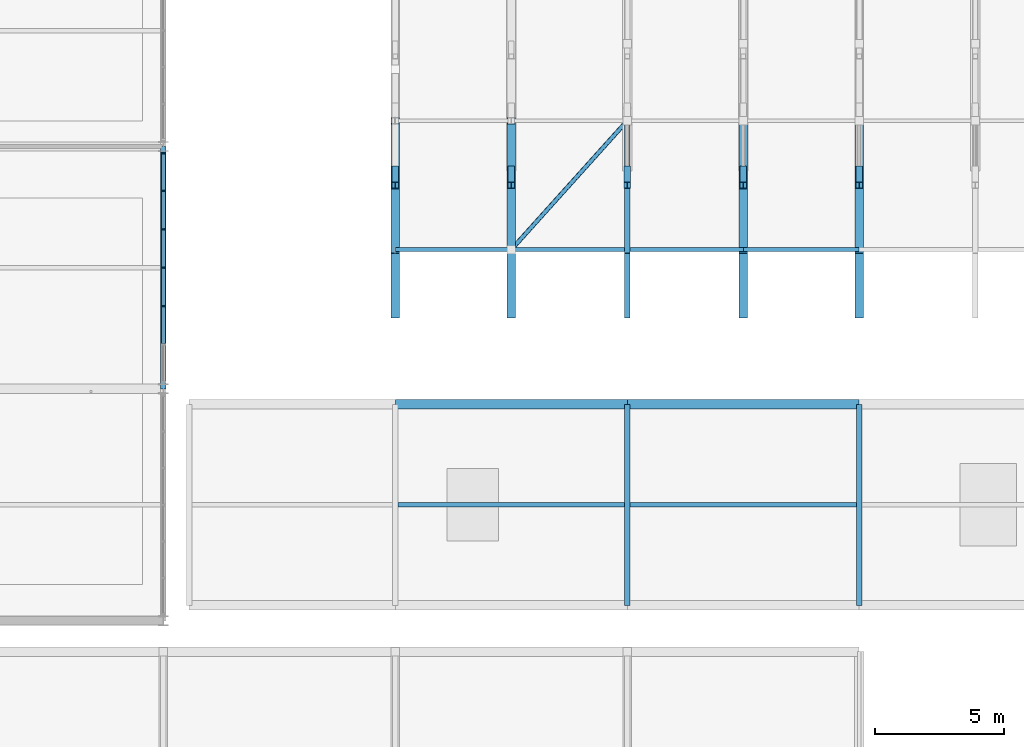
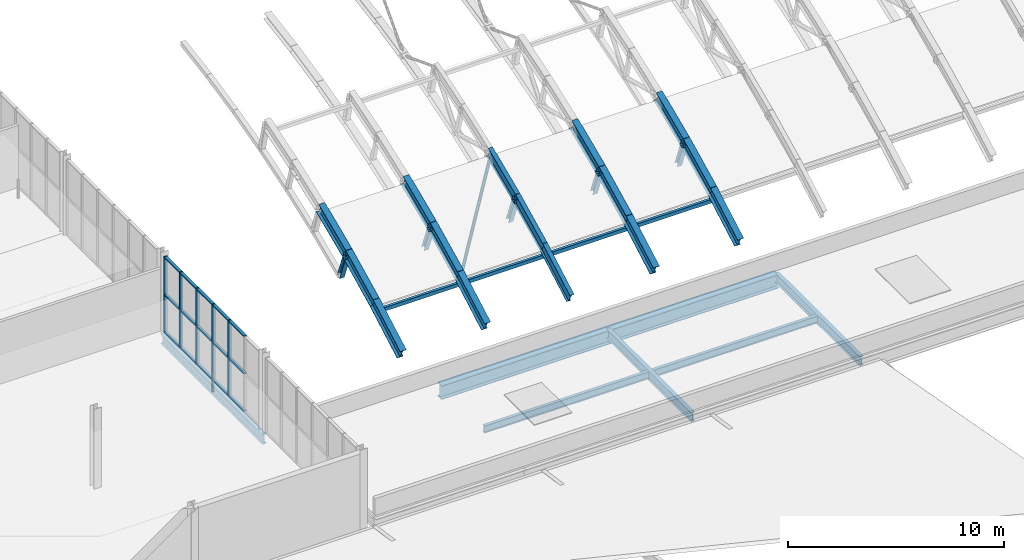
# One storey, part 14 of 103: 30 members, 22 beams, 1 element without a shape of its own.
"""IFC4 building model written with IfcOpenShell, lengths in metres."""

from ifc_helpers import new_model, si_unit, direction, frame, origin, origin_2d, place, context, subcontext, project, spatial, rectangle, hollow_rectangle, hollow_circle, i_section, extrude, material, layer, layer_set, material_profile, profile_set, type_object, element, aggregate, save


model = new_model("IFC4")

# Units and contexts
model_context = context("Model", 3, precision=1e-05, world=origin(), true_north=direction((0.0, 1.0)))
body_context = subcontext(model_context, "Body", "Model", "MODEL_VIEW")
ifc_project = project(units=[si_unit("LENGTHUNIT", "METRE"), si_unit("AREAUNIT", "SQUARE_METRE"), si_unit("VOLUMEUNIT", "CUBIC_METRE"), si_unit("PLANEANGLEUNIT", "RADIAN"), si_unit("MASSUNIT", "GRAM", prefix="KILO")], contexts=[model_context])

# Site, building, storey
site_placement = place(None, origin())
site = spatial("IfcSite", under=ifc_project, at=site_placement, CompositionType="ELEMENT")
building_placement = place(site_placement, origin())
building = spatial("IfcBuilding", under=site, at=building_placement, Name="Cazmaro Siding Exhibition Halls", CompositionType="ELEMENT")
storey_placement = place(building_placement, frame((0.0, 0.0, 16.5)))
storey = spatial("IfcBuildingStorey", under=building, at=storey_placement, Name="L03", CompositionType="ELEMENT", Elevation=16.5)

# Beams
ifc_material_1 = material(Name="Steel ASTM A992 Grade 50", Category="steel")
ifc_material_profile_1 = material_profile(ifc_material_1, i_section(OverallWidth=0.327880859375, OverallDepth=0.626953125, WebThickness=0.01708984375, FlangeThickness=0.028076171875, at=origin_2d()), Name="W24X146")
ifc_profile_set_1 = profile_set([ifc_material_profile_1], Name="Steel ASTM A992 Grade 50")
beam_type_1 = type_object("IfcBeamType", Name="AR-01", PredefinedType="USERDEFINED", material=ifc_profile_set_1)
beam_1_placement = place(storey_placement, frame((45.0, 66.5, -0.60693359375), z_axis=(0.0, 0.871320907359, 0.490713639916), x_axis=(-1.0, 0.0, 0.0)))
element("IfcBeam", 1, at=beam_1_placement, inside=storey, type_object=beam_type_1, Name="Space frame barrel vault arched rib AR-01 BM-0536", ObjectType="ARCHED RIB", PredefinedType="USERDEFINED", context=body_context, shape_type="SweptSolid", body=[
    extrude(i_section(OverallWidth=0.327880859375, OverallDepth=0.626953125, WebThickness=0.01708984375, FlangeThickness=0.028076171875, at=origin_2d()), origin(), (0.0, 0.0, 1.0), 2.869140625),
])
beam_2_placement = place(storey_placement, frame((45.0, 69.0, 0.801025390625), z_axis=(0.0, 0.895996638269, 0.444060833908), x_axis=(-1.0, 0.0, 0.0)))
element("IfcBeam", 2, at=beam_2_placement, inside=storey, type_object=beam_type_1, Name="Space frame barrel vault arched rib AR-01 BM-0537", ObjectType="ARCHED RIB", PredefinedType="USERDEFINED", context=body_context, shape_type="SweptSolid", body=[
    extrude(i_section(OverallWidth=0.327880859375, OverallDepth=0.626953125, WebThickness=0.01708984375, FlangeThickness=0.028076171875, at=origin_2d()), origin(), (0.0, 0.0, 1.0), 2.790283203125),
])
beam_3_placement = place(storey_placement, frame((45.0, 71.5, 2.0400390625), z_axis=(0.0, 0.917729918626, 0.397204980405), x_axis=(-1.0, 0.0, 0.0)))
element("IfcBeam", 3, at=beam_3_placement, inside=storey, type_object=beam_type_1, Name="Space frame barrel vault arched rib AR-01 BM-0538", ObjectType="ARCHED RIB", PredefinedType="USERDEFINED", context=body_context, shape_type="SweptSolid", body=[
    extrude(i_section(OverallWidth=0.327880859375, OverallDepth=0.626953125, WebThickness=0.01708984375, FlangeThickness=0.028076171875, at=origin_2d()), origin(), (0.0, 0.0, 1.0), 2.72412109375),
])
beam_4_placement = place(storey_placement, frame((58.5, 66.5, -0.60693359375), z_axis=(0.0, 0.871320907359, 0.490713639916), x_axis=(-1.0, 0.0, 0.0)))
element("IfcBeam", 4, at=beam_4_placement, inside=storey, type_object=beam_type_1, Name="Space frame barrel vault arched rib AR-01 BM-0608", ObjectType="ARCHED RIB", PredefinedType="USERDEFINED", context=body_context, shape_type="SweptSolid", body=[
    extrude(i_section(OverallWidth=0.327880859375, OverallDepth=0.626953125, WebThickness=0.01708984375, FlangeThickness=0.028076171875, at=origin_2d()), origin(), (0.0, 0.0, 1.0), 2.869140625),
])
beam_5_placement = place(storey_placement, frame((58.5, 69.0, 0.801025390625), z_axis=(0.0, 0.895996638269, 0.444060833908), x_axis=(-1.0, 0.0, 0.0)))
element("IfcBeam", 5, at=beam_5_placement, inside=storey, type_object=beam_type_1, Name="Space frame barrel vault arched rib AR-01 BM-0609", ObjectType="ARCHED RIB", PredefinedType="USERDEFINED", context=body_context, shape_type="SweptSolid", body=[
    extrude(i_section(OverallWidth=0.327880859375, OverallDepth=0.626953125, WebThickness=0.01708984375, FlangeThickness=0.028076171875, at=origin_2d()), origin(), (0.0, 0.0, 1.0), 2.790283203125),
])
beam_6_placement = place(storey_placement, frame((58.5, 71.5, 2.0400390625), z_axis=(0.0, 0.917729918626, 0.397204980405), x_axis=(-1.0, 0.0, 0.0)))
element("IfcBeam", 6, at=beam_6_placement, inside=storey, type_object=beam_type_1, Name="Space frame barrel vault arched rib AR-01 BM-0610", ObjectType="ARCHED RIB", PredefinedType="USERDEFINED", context=body_context, shape_type="SweptSolid", body=[
    extrude(i_section(OverallWidth=0.327880859375, OverallDepth=0.626953125, WebThickness=0.01708984375, FlangeThickness=0.028076171875, at=origin_2d()), origin(), (0.0, 0.0, 1.0), 2.72412109375),
])
ifc_material_2 = material(Name="Steel ASTM A992 Grade 50", Category="steel")
ifc_material_profile_2 = material_profile(ifc_material_2, i_section(OverallWidth=0.324951171875, OverallDepth=0.612060546875, WebThickness=0.012939453125, FlangeThickness=0.01904296875, at=origin_2d()), Name="W24X104")
ifc_profile_set_2 = profile_set([ifc_material_profile_2], Name="Steel ASTM A992 Grade 50")
beam_type_2 = type_object("IfcBeamType", Name="AR-02", PredefinedType="USERDEFINED", material=ifc_profile_set_2)
beam_7_placement = place(storey_placement, frame((49.5, 66.5, -0.60693359375), z_axis=(0.0, 0.871320907359, 0.490713639916), x_axis=(-1.0, 0.0, 0.0)))
element("IfcBeam", 7, at=beam_7_placement, inside=storey, type_object=beam_type_2, Name="Space frame barrel vault arched rib AR-02 BM-0560", ObjectType="ARCHED RIB", PredefinedType="USERDEFINED", context=body_context, shape_type="SweptSolid", body=[
    extrude(i_section(OverallWidth=0.324951171875, OverallDepth=0.612060546875, WebThickness=0.012939453125, FlangeThickness=0.01904296875, at=origin_2d()), origin(), (0.0, 0.0, 1.0), 2.869140625),
])
beam_8_placement = place(storey_placement, frame((49.5, 69.0, 0.801025390625), z_axis=(0.0, 0.895996638269, 0.444060833908), x_axis=(-1.0, 0.0, 0.0)))
element("IfcBeam", 8, at=beam_8_placement, inside=storey, type_object=beam_type_2, Name="Space frame barrel vault arched rib AR-02 BM-0561", ObjectType="ARCHED RIB", PredefinedType="USERDEFINED", context=body_context, shape_type="SweptSolid", body=[
    extrude(i_section(OverallWidth=0.324951171875, OverallDepth=0.612060546875, WebThickness=0.012939453125, FlangeThickness=0.01904296875, at=origin_2d()), origin(), (0.0, 0.0, 1.0), 2.790283203125),
])
beam_9_placement = place(storey_placement, frame((49.5, 71.5, 2.0400390625), z_axis=(0.0, 0.917729918626, 0.397204980405), x_axis=(-1.0, 0.0, 0.0)))
element("IfcBeam", 9, at=beam_9_placement, inside=storey, type_object=beam_type_2, Name="Space frame barrel vault arched rib AR-02 BM-0562", ObjectType="ARCHED RIB", PredefinedType="USERDEFINED", context=body_context, shape_type="SweptSolid", body=[
    extrude(i_section(OverallWidth=0.324951171875, OverallDepth=0.612060546875, WebThickness=0.012939453125, FlangeThickness=0.01904296875, at=origin_2d()), origin(), (0.0, 0.0, 1.0), 2.72412109375),
])
beam_10_placement = place(storey_placement, frame((63.0, 66.5, -0.60693359375), z_axis=(0.0, 0.871320907359, 0.490713639916), x_axis=(-1.0, 0.0, 0.0)))
element("IfcBeam", 10, at=beam_10_placement, inside=storey, type_object=beam_type_2, Name="Space frame barrel vault arched rib AR-02 BM-0632", ObjectType="ARCHED RIB", PredefinedType="USERDEFINED", context=body_context, shape_type="SweptSolid", body=[
    extrude(i_section(OverallWidth=0.324951171875, OverallDepth=0.612060546875, WebThickness=0.012939453125, FlangeThickness=0.01904296875, at=origin_2d()), origin(), (0.0, 0.0, 1.0), 2.869140625),
])
beam_11_placement = place(storey_placement, frame((63.0, 69.0, 0.801025390625), z_axis=(0.0, 0.895996638269, 0.444060833908), x_axis=(-1.0, 0.0, 0.0)))
element("IfcBeam", 11, at=beam_11_placement, inside=storey, type_object=beam_type_2, Name="Space frame barrel vault arched rib AR-02 BM-0633", ObjectType="ARCHED RIB", PredefinedType="USERDEFINED", context=body_context, shape_type="SweptSolid", body=[
    extrude(i_section(OverallWidth=0.324951171875, OverallDepth=0.612060546875, WebThickness=0.012939453125, FlangeThickness=0.01904296875, at=origin_2d()), origin(), (0.0, 0.0, 1.0), 2.790283203125),
])
beam_12_placement = place(storey_placement, frame((63.0, 71.5, 2.0400390625), z_axis=(0.0, 0.917729918626, 0.397204980405), x_axis=(-1.0, 0.0, 0.0)))
element("IfcBeam", 12, at=beam_12_placement, inside=storey, type_object=beam_type_2, Name="Space frame barrel vault arched rib AR-02 BM-0634", ObjectType="ARCHED RIB", PredefinedType="USERDEFINED", context=body_context, shape_type="SweptSolid", body=[
    extrude(i_section(OverallWidth=0.324951171875, OverallDepth=0.612060546875, WebThickness=0.012939453125, FlangeThickness=0.01904296875, at=origin_2d()), origin(), (0.0, 0.0, 1.0), 2.72412109375),
])
ifc_material_3 = material(Name="Steel ASTM A992 Grade 50", Category="steel")
ifc_material_profile_3 = material_profile(ifc_material_3, i_section(OverallWidth=0.22900390625, OverallDepth=0.612060546875, WebThickness=0.011962890625, FlangeThickness=0.02001953125, at=origin_2d()), Name="W24X84")
ifc_profile_set_3 = profile_set([ifc_material_profile_3], Name="Steel ASTM A992 Grade 50")
beam_type_3 = type_object("IfcBeamType", Name="AR-03", PredefinedType="USERDEFINED", material=ifc_profile_set_3)
beam_13_placement = place(storey_placement, frame((54.0, 66.5, -0.60693359375), z_axis=(0.0, 0.871320907359, 0.490713639916), x_axis=(-1.0, 0.0, 0.0)))
element("IfcBeam", 13, at=beam_13_placement, inside=storey, type_object=beam_type_3, Name="Space frame barrel vault arched rib AR-03 BM-0584", ObjectType="ARCHED RIB", PredefinedType="USERDEFINED", context=body_context, shape_type="SweptSolid", body=[
    extrude(i_section(OverallWidth=0.22900390625, OverallDepth=0.612060546875, WebThickness=0.011962890625, FlangeThickness=0.02001953125, at=origin_2d()), origin(), (0.0, 0.0, 1.0), 2.869140625),
])
beam_14_placement = place(storey_placement, frame((54.0, 69.0, 0.801025390625), z_axis=(0.0, 0.895996638269, 0.444060833908), x_axis=(-1.0, 0.0, 0.0)))
element("IfcBeam", 14, at=beam_14_placement, inside=storey, type_object=beam_type_3, Name="Space frame barrel vault arched rib AR-03 BM-0585", ObjectType="ARCHED RIB", PredefinedType="USERDEFINED", context=body_context, shape_type="SweptSolid", body=[
    extrude(i_section(OverallWidth=0.22900390625, OverallDepth=0.612060546875, WebThickness=0.011962890625, FlangeThickness=0.02001953125, at=origin_2d()), origin(), (0.0, 0.0, 1.0), 2.790283203125),
])
beam_15_placement = place(storey_placement, frame((54.0, 71.5, 2.0400390625), z_axis=(0.0, 0.917729918626, 0.397204980405), x_axis=(-1.0, 0.0, 0.0)))
element("IfcBeam", 15, at=beam_15_placement, inside=storey, type_object=beam_type_3, Name="Space frame barrel vault arched rib AR-03 BM-0586", ObjectType="ARCHED RIB", PredefinedType="USERDEFINED", context=body_context, shape_type="SweptSolid", body=[
    extrude(i_section(OverallWidth=0.22900390625, OverallDepth=0.612060546875, WebThickness=0.011962890625, FlangeThickness=0.02001953125, at=origin_2d()), origin(), (0.0, 0.0, 1.0), 2.72412109375),
])
ifc_material_4 = material(Name="Steel ASTM A992 Grade 50", Category="steel")
ifc_material_profile_4 = material_profile(ifc_material_4, i_section(OverallWidth=0.214111328125, OverallDepth=0.549072265625, WebThickness=0.014892578125, FlangeThickness=0.02392578125, at=origin_2d()), Name="W21X93")
ifc_profile_set_4 = profile_set([ifc_material_profile_4], Name="Steel ASTM A992 Grade 50")
beam_type_4 = type_object("IfcBeamType", Name="B-01", PredefinedType="BEAM", material=ifc_profile_set_4)
beam_16_placement = place(storey_placement, frame((36.0, 63.60009765625, -0.493896484375), z_axis=(0.0, 1.0, 0.0), x_axis=(-1.0, 0.0, 0.0)))
element("IfcBeam", 16, at=beam_16_placement, inside=storey, type_object=beam_type_4, Name="Beam B-01 BM-2271", PredefinedType="BEAM", context=body_context, shape_type="SweptSolid", body=[
    extrude(i_section(OverallWidth=0.214111328125, OverallDepth=0.549072265625, WebThickness=0.014892578125, FlangeThickness=0.02392578125, at=origin_2d()), origin(), (0.0, 0.0, 1.0), 9.39990234375),
])
ifc_material_5 = material(Name="Steel ASTM A992 Grade 50", Category="steel")
ifc_material_profile_5 = material_profile(ifc_material_5, i_section(OverallWidth=0.2099609375, OverallDepth=0.535888671875, WebThickness=0.010986328125, FlangeThickness=0.01708984375, at=origin_2d()), Name="W21X68")
ifc_profile_set_5 = profile_set([ifc_material_profile_5], Name="Steel ASTM A992 Grade 50")
beam_type_5 = type_object("IfcBeamType", Name="B-02", PredefinedType="BEAM", material=ifc_profile_set_5)
for number, where, z_axis, x_axis, name in (
    (17, (54.0, 55.199951171875, -0.443115234375), (0.0, 1.0, 0.0), (-1.0, 0.0, 0.0), "Beam B-02 BM-1692"),
    (18, (63.0, 55.199951171875, -0.443115234375), (0.0, 1.0, 0.0), (-1.0, 0.0, 0.0), "Beam B-02 BM-1695"),
):
    element("IfcBeam", number, at=place(storey_placement, frame(where, z_axis=z_axis, x_axis=x_axis)), inside=storey, type_object=beam_type_5, Name=name, PredefinedType="BEAM", context=body_context, shape_type="SweptSolid", body=[
        extrude(i_section(OverallWidth=0.2099609375, OverallDepth=0.535888671875, WebThickness=0.010986328125, FlangeThickness=0.01708984375, at=origin_2d()), origin(), (0.0, 0.0, 1.0), 7.800048828125),
    ])

# Curtain wall, members
ifc_material_6 = material(Name="Anodized Bronze Aluminum and Solar-Control Low-E Glazing", Category="aluminium")
ifc_layer = layer(ifc_material_6, 0.179931640625)
ifc_layer_set = layer_set([ifc_layer], Name="Anodized Bronze Aluminum and Solar-Control Low-E Glazing")
curtain_wall_type = type_object("IfcCurtainWallType", Name="CWS-01", PredefinedType="USERDEFINED", material=ifc_layer_set)
curtain_wall_placement = place(storey_placement, origin())
curtain_wall = element("IfcCurtainWall", 19, at=curtain_wall_placement, inside=storey, type_object=curtain_wall_type, Name="Glazed Curtain Wall CWS-01 CW-249", ObjectType="GLAZED CURTAIN WALL", PredefinedType="USERDEFINED")
ifc_material_7 = material(Name="Anodized Bronze Extruded Aluminum", Category="aluminium")
ifc_material_profile_6 = material_profile(ifc_material_7, rectangle(XDim=0.179931640625, YDim=0.06005859375, at=origin_2d()), Name="CWM-01")
ifc_profile_set_6 = profile_set([ifc_material_profile_6], Name="Anodized Bronze Extruded Aluminum")
member_type_1 = type_object("IfcMemberType", Name="CWM-01", PredefinedType="MULLION", material=ifc_profile_set_6)
member_1_placement = place(storey_placement, frame((36.0, 66.81103515625, 0.0), z_axis=(0.0, 0.0, 1.0), x_axis=(-1.0, 0.0, 0.0)))
member_1 = element("IfcMember", 20, at=member_1_placement, type_object=member_type_1, Name="CWS-01 mullion 3", PredefinedType="MULLION", context=body_context, shape_type="SweptSolid", body=[
    extrude(rectangle(XDim=0.179931640625, YDim=0.06005859375, at=origin_2d()), origin(), (0.0, 0.0, 1.0), 4.280029296875),
])
member_2_placement = place(storey_placement, frame((36.0, 68.300048828125, 0.0), z_axis=(0.0, 0.0, 1.0), x_axis=(-1.0, 0.0, 0.0)))
member_2 = element("IfcMember", 21, at=member_2_placement, type_object=member_type_1, Name="CWS-01 mullion 4", PredefinedType="MULLION", context=body_context, shape_type="SweptSolid", body=[
    extrude(rectangle(XDim=0.179931640625, YDim=0.06005859375, at=origin_2d()), origin(), (0.0, 0.0, 1.0), 4.280029296875),
])
member_3_placement = place(storey_placement, frame((36.0, 69.7890625, 0.0), z_axis=(0.0, 0.0, 1.0), x_axis=(-1.0, 0.0, 0.0)))
member_3 = element("IfcMember", 22, at=member_3_placement, type_object=member_type_1, Name="CWS-01 mullion 5", PredefinedType="MULLION", context=body_context, shape_type="SweptSolid", body=[
    extrude(rectangle(XDim=0.179931640625, YDim=0.06005859375, at=origin_2d()), origin(), (0.0, 0.0, 1.0), 4.280029296875),
])
member_4_placement = place(storey_placement, frame((36.0, 71.278076171875, 0.0), z_axis=(0.0, 0.0, 1.0), x_axis=(-1.0, 0.0, 0.0)))
member_4 = element("IfcMember", 23, at=member_4_placement, type_object=member_type_1, Name="CWS-01 mullion 6", PredefinedType="MULLION", context=body_context, shape_type="SweptSolid", body=[
    extrude(rectangle(XDim=0.179931640625, YDim=0.06005859375, at=origin_2d()), origin(), (0.0, 0.0, 1.0), 4.280029296875),
])
member_5_placement = place(storey_placement, frame((36.0, 72.737060546875, 0.0), z_axis=(0.0, 0.0, 1.0), x_axis=(-1.0, 0.0, 0.0)))
member_5 = element("IfcMember", 24, at=member_5_placement, type_object=member_type_1, Name="CWS-01 mullion 7", PredefinedType="MULLION", context=body_context, shape_type="SweptSolid", body=[
    extrude(rectangle(XDim=0.179931640625, YDim=0.06005859375, at=origin_2d()), origin(), (0.0, 0.0, 1.0), 4.280029296875),
])
ifc_material_8 = material(Name="Anodized Bronze Extruded Aluminum", Category="aluminium")
ifc_material_profile_7 = material_profile(ifc_material_8, rectangle(XDim=0.159912109375, YDim=0.06005859375, at=origin_2d()), Name="CWT-01")
ifc_profile_set_7 = profile_set([ifc_material_profile_7], Name="Anodized Bronze Extruded Aluminum")
member_type_2 = type_object("IfcMemberType", Name="CWT-01", PredefinedType="MULLION", material=ifc_profile_set_7)
member_6_placement = place(storey_placement, frame((36.0, 65.35205078125, 0.030029296875), z_axis=(0.0, 1.0, 0.0), x_axis=(-1.0, 0.0, 0.0)))
member_6 = element("IfcMember", 25, at=member_6_placement, type_object=member_type_2, Name="CWS-01 transom 2.1", ObjectType="TRANSOM", PredefinedType="USERDEFINED", context=body_context, shape_type="SweptSolid", body=[
    extrude(rectangle(XDim=0.159912109375, YDim=0.06005859375, at=origin_2d()), origin(), (0.0, 0.0, 1.0), 1.428955078125),
])
member_7_placement = place(storey_placement, frame((36.0, 65.35205078125, 2.139892578125), z_axis=(0.0, 1.0, 0.0), x_axis=(-1.0, 0.0, 0.0)))
member_7 = element("IfcMember", 26, at=member_7_placement, type_object=member_type_2, Name="CWS-01 transom 2.2", ObjectType="TRANSOM", PredefinedType="USERDEFINED", context=body_context, shape_type="SweptSolid", body=[
    extrude(rectangle(XDim=0.159912109375, YDim=0.06005859375, at=origin_2d()), origin(), (0.0, 0.0, 1.0), 1.428955078125),
])
member_8_placement = place(storey_placement, frame((36.0, 65.35205078125, 4.25), z_axis=(0.0, 1.0, 0.0), x_axis=(-1.0, 0.0, 0.0)))
member_8 = element("IfcMember", 27, at=member_8_placement, type_object=member_type_2, Name="CWS-01 transom 2.3", ObjectType="TRANSOM", PredefinedType="USERDEFINED", context=body_context, shape_type="SweptSolid", body=[
    extrude(rectangle(XDim=0.159912109375, YDim=0.06005859375, at=origin_2d()), origin(), (0.0, 0.0, 1.0), 1.428955078125),
])
member_9_placement = place(storey_placement, frame((36.0, 66.841064453125, 0.030029296875), z_axis=(0.0, 1.0, 0.0), x_axis=(-1.0, 0.0, 0.0)))
member_9 = element("IfcMember", 28, at=member_9_placement, type_object=member_type_2, Name="CWS-01 transom 3.1", ObjectType="TRANSOM", PredefinedType="USERDEFINED", context=body_context, shape_type="SweptSolid", body=[
    extrude(rectangle(XDim=0.159912109375, YDim=0.06005859375, at=origin_2d()), origin(), (0.0, 0.0, 1.0), 1.428955078125),
])
member_10_placement = place(storey_placement, frame((36.0, 66.841064453125, 2.139892578125), z_axis=(0.0, 1.0, 0.0), x_axis=(-1.0, 0.0, 0.0)))
member_10 = element("IfcMember", 29, at=member_10_placement, type_object=member_type_2, Name="CWS-01 transom 3.2", ObjectType="TRANSOM", PredefinedType="USERDEFINED", context=body_context, shape_type="SweptSolid", body=[
    extrude(rectangle(XDim=0.159912109375, YDim=0.06005859375, at=origin_2d()), origin(), (0.0, 0.0, 1.0), 1.428955078125),
])
member_11_placement = place(storey_placement, frame((36.0, 66.841064453125, 4.25), z_axis=(0.0, 1.0, 0.0), x_axis=(-1.0, 0.0, 0.0)))
member_11 = element("IfcMember", 30, at=member_11_placement, type_object=member_type_2, Name="CWS-01 transom 3.3", ObjectType="TRANSOM", PredefinedType="USERDEFINED", context=body_context, shape_type="SweptSolid", body=[
    extrude(rectangle(XDim=0.159912109375, YDim=0.06005859375, at=origin_2d()), origin(), (0.0, 0.0, 1.0), 1.428955078125),
])
member_12_placement = place(storey_placement, frame((36.0, 68.330078125, 0.030029296875), z_axis=(0.0, 1.0, 0.0), x_axis=(-1.0, 0.0, 0.0)))
member_12 = element("IfcMember", 31, at=member_12_placement, type_object=member_type_2, Name="CWS-01 transom 4.1", ObjectType="TRANSOM", PredefinedType="USERDEFINED", context=body_context, shape_type="SweptSolid", body=[
    extrude(rectangle(XDim=0.159912109375, YDim=0.06005859375, at=origin_2d()), origin(), (0.0, 0.0, 1.0), 1.428955078125),
])
member_13_placement = place(storey_placement, frame((36.0, 68.330078125, 2.139892578125), z_axis=(0.0, 1.0, 0.0), x_axis=(-1.0, 0.0, 0.0)))
member_13 = element("IfcMember", 32, at=member_13_placement, type_object=member_type_2, Name="CWS-01 transom 4.2", ObjectType="TRANSOM", PredefinedType="USERDEFINED", context=body_context, shape_type="SweptSolid", body=[
    extrude(rectangle(XDim=0.159912109375, YDim=0.06005859375, at=origin_2d()), origin(), (0.0, 0.0, 1.0), 1.428955078125),
])
member_14_placement = place(storey_placement, frame((36.0, 68.330078125, 4.25), z_axis=(0.0, 1.0, 0.0), x_axis=(-1.0, 0.0, 0.0)))
member_14 = element("IfcMember", 33, at=member_14_placement, type_object=member_type_2, Name="CWS-01 transom 4.3", ObjectType="TRANSOM", PredefinedType="USERDEFINED", context=body_context, shape_type="SweptSolid", body=[
    extrude(rectangle(XDim=0.159912109375, YDim=0.06005859375, at=origin_2d()), origin(), (0.0, 0.0, 1.0), 1.428955078125),
])
member_15_placement = place(storey_placement, frame((36.0, 69.819091796875, 0.030029296875), z_axis=(0.0, 1.0, 0.0), x_axis=(-1.0, 0.0, 0.0)))
member_15 = element("IfcMember", 34, at=member_15_placement, type_object=member_type_2, Name="CWS-01 transom 5.1", ObjectType="TRANSOM", PredefinedType="USERDEFINED", context=body_context, shape_type="SweptSolid", body=[
    extrude(rectangle(XDim=0.159912109375, YDim=0.06005859375, at=origin_2d()), origin(), (0.0, 0.0, 1.0), 1.428955078125),
])
member_16_placement = place(storey_placement, frame((36.0, 69.819091796875, 2.139892578125), z_axis=(0.0, 1.0, 0.0), x_axis=(-1.0, 0.0, 0.0)))
member_16 = element("IfcMember", 35, at=member_16_placement, type_object=member_type_2, Name="CWS-01 transom 5.2", ObjectType="TRANSOM", PredefinedType="USERDEFINED", context=body_context, shape_type="SweptSolid", body=[
    extrude(rectangle(XDim=0.159912109375, YDim=0.06005859375, at=origin_2d()), origin(), (0.0, 0.0, 1.0), 1.428955078125),
])
member_17_placement = place(storey_placement, frame((36.0, 69.819091796875, 4.25), z_axis=(0.0, 1.0, 0.0), x_axis=(-1.0, 0.0, 0.0)))
member_17 = element("IfcMember", 36, at=member_17_placement, type_object=member_type_2, Name="CWS-01 transom 5.3", ObjectType="TRANSOM", PredefinedType="USERDEFINED", context=body_context, shape_type="SweptSolid", body=[
    extrude(rectangle(XDim=0.159912109375, YDim=0.06005859375, at=origin_2d()), origin(), (0.0, 0.0, 1.0), 1.428955078125),
])
member_18_placement = place(storey_placement, frame((36.0, 71.30810546875, 0.030029296875), z_axis=(0.0, 1.0, 0.0), x_axis=(-1.0, 0.0, 0.0)))
member_18 = element("IfcMember", 37, at=member_18_placement, type_object=member_type_2, Name="CWS-01 transom 6.1", ObjectType="TRANSOM", PredefinedType="USERDEFINED", context=body_context, shape_type="SweptSolid", body=[
    extrude(rectangle(XDim=0.159912109375, YDim=0.06005859375, at=origin_2d()), origin(), (0.0, 0.0, 1.0), 1.39892578125),
])
member_19_placement = place(storey_placement, frame((36.0, 71.30810546875, 2.139892578125), z_axis=(0.0, 1.0, 0.0), x_axis=(-1.0, 0.0, 0.0)))
member_19 = element("IfcMember", 38, at=member_19_placement, type_object=member_type_2, Name="CWS-01 transom 6.2", ObjectType="TRANSOM", PredefinedType="USERDEFINED", context=body_context, shape_type="SweptSolid", body=[
    extrude(rectangle(XDim=0.159912109375, YDim=0.06005859375, at=origin_2d()), origin(), (0.0, 0.0, 1.0), 1.39892578125),
])
member_20_placement = place(storey_placement, frame((36.0, 71.30810546875, 4.25), z_axis=(0.0, 1.0, 0.0), x_axis=(-1.0, 0.0, 0.0)))
member_20 = element("IfcMember", 39, at=member_20_placement, type_object=member_type_2, Name="CWS-01 transom 6.3", ObjectType="TRANSOM", PredefinedType="USERDEFINED", context=body_context, shape_type="SweptSolid", body=[
    extrude(rectangle(XDim=0.159912109375, YDim=0.06005859375, at=origin_2d()), origin(), (0.0, 0.0, 1.0), 1.39892578125),
])
aggregate(curtain_wall, [member_1, member_2, member_3, member_4, member_5, member_6, member_7, member_8, member_9, member_10, member_11, member_12, member_13, member_14, member_15, member_16, member_17, member_18, member_19, member_20])

# Beams
ifc_material_9 = material(Name="Steel ASTM A992 Grade 50", Category="steel")
ifc_material_profile_8 = material_profile(ifc_material_9, i_section(OverallWidth=0.381103515625, OverallDepth=0.779052734375, WebThickness=0.01806640625, FlangeThickness=0.030029296875, at=origin_2d()), Name="W30X191")
ifc_profile_set_8 = profile_set([ifc_material_profile_8], Name="Steel ASTM A992 Grade 50")
beam_type_6 = type_object("IfcBeamType", Name="G-04", PredefinedType="USERDEFINED", material=ifc_profile_set_8)
for number, where, z_axis, x_axis, name in (
    (40, (45.0, 63.0, -0.56494140625), (1.0, 0.0, 0.0), (0.0, 1.0, 0.0), "Beam G-04 BM-1583"),
    (41, (54.0, 63.0, -0.56494140625), (1.0, 0.0, 0.0), (0.0, 1.0, 0.0), "Beam G-04 BM-1590"),
):
    element("IfcBeam", number, at=place(storey_placement, frame(where, z_axis=z_axis, x_axis=x_axis)), inside=storey, type_object=beam_type_6, Name=name, ObjectType="GIRDER", PredefinedType="USERDEFINED", context=body_context, shape_type="SweptSolid", body=[
        extrude(i_section(OverallWidth=0.381103515625, OverallDepth=0.779052734375, WebThickness=0.01806640625, FlangeThickness=0.030029296875, at=origin_2d()), origin(), (0.0, 0.0, 1.0), 9.0),
    ])
ifc_material_10 = material(Name="Steel ASTM A992 Grade 50", Category="steel")
ifc_material_profile_9 = material_profile(ifc_material_10, i_section(OverallWidth=0.177978515625, OverallDepth=0.406005859375, WebThickness=0.008056640625, FlangeThickness=0.012939453125, at=origin_2d()), Name="W16X40")
ifc_profile_set_9 = profile_set([ifc_material_profile_9], Name="Steel ASTM A992 Grade 50")
beam_type_7 = type_object("IfcBeamType", Name="J-02", PredefinedType="JOIST", material=ifc_profile_set_9)
for number, where, z_axis, x_axis, name in (
    (42, (45.10498046875, 59.10009765625, -0.3779296875), (1.0, 0.0, 0.0), (0.0, 1.0, 0.0), "Beam J-02 BM-1584"),
    (43, (54.10498046875, 59.10009765625, -0.3779296875), (1.0, 0.0, 0.0), (0.0, 1.0, 0.0), "Beam J-02 BM-1591"),
):
    element("IfcBeam", number, at=place(storey_placement, frame(where, z_axis=z_axis, x_axis=x_axis)), inside=storey, type_object=beam_type_7, Name=name, PredefinedType="JOIST", context=body_context, shape_type="SweptSolid", body=[
        extrude(i_section(OverallWidth=0.177978515625, OverallDepth=0.406005859375, WebThickness=0.008056640625, FlangeThickness=0.012939453125, at=origin_2d()), origin(), (0.0, 0.0, 1.0), 8.7900390625),
    ])

# Members
ifc_material_11 = material(Name="Steel ASTM A500 Grade C", Category="steel")
ifc_material_profile_10 = material_profile(ifc_material_11, hollow_rectangle(XDim=0.152099609375, YDim=0.202880859375, WallThickness=0.011962890625, at=origin_2d()), Name="HSS8X6X1/2")
ifc_profile_set_10 = profile_set([ifc_material_profile_10], Name="Steel ASTM A500 Grade C")
member_type_3 = type_object("IfcMemberType", Name="RP-01", PredefinedType="PURLIN", material=ifc_profile_set_10)
for number, where, z_axis, x_axis, name in (
    (44, (45.0, 69.0, 0.260986328125), (1.0, 0.0, 0.0), (0.0, 1.0, 0.0), "Space frame barrel vault purlin RP-01 MEM-1964"),
    (45, (49.5, 69.0, 0.260986328125), (1.0, 0.0, 0.0), (0.0, 1.0, 0.0), "Space frame barrel vault purlin RP-01 MEM-1975"),
    (46, (54.0, 69.0, 0.260986328125), (1.0, 0.0, 0.0), (0.0, 1.0, 0.0), "Space frame barrel vault purlin RP-01 MEM-1992"),
    (47, (58.5, 69.0, 0.260986328125), (1.0, 0.0, 0.0), (0.0, 1.0, 0.0), "Space frame barrel vault purlin RP-01 MEM-2003"),
):
    element("IfcMember", number, at=place(storey_placement, frame(where, z_axis=z_axis, x_axis=x_axis)), inside=storey, type_object=member_type_3, Name=name, PredefinedType="PURLIN", context=body_context, shape_type="SweptSolid", body=[
        extrude(hollow_rectangle(XDim=0.152099609375, YDim=0.202880859375, WallThickness=0.011962890625, at=origin_2d()), origin(), (0.0, 0.0, 1.0), 4.5),
    ])
ifc_material_12 = material(Name="Steel ASTM A992 Grade 50", Category="steel")
ifc_material_profile_11 = material_profile(ifc_material_12, i_section(OverallWidth=0.25390625, OverallDepth=0.25390625, WebThickness=0.009033203125, FlangeThickness=0.013916015625, at=origin_2d()), Name="W10X49")
ifc_profile_set_11 = profile_set([ifc_material_profile_11], Name="Steel ASTM A992 Grade 50")
member_type_4 = type_object("IfcMemberType", Name="TP-04", PredefinedType="POST", material=ifc_profile_set_11)
for number, where, z_axis, x_axis, name in (
    (48, (45.0, 72.131103515625, 0.37890625), (0.0, -0.355155331276, 0.934807301355), (1.0, 0.0, 0.0), "Space frame barrel vault post TP-04 MEM-0027"),
    (49, (49.5, 72.131103515625, 0.37890625), (0.0, -0.355155331276, 0.934807301355), (1.0, 0.0, 0.0), "Space frame barrel vault post TP-04 MEM-0074"),
    (50, (54.0, 72.131103515625, 0.37890625), (0.0, -0.355155331276, 0.934807301355), (1.0, 0.0, 0.0), "Space frame barrel vault post TP-04 MEM-0145"),
    (51, (58.5, 72.131103515625, 0.37890625), (0.0, -0.355155331276, 0.934807301355), (1.0, 0.0, 0.0), "Space frame barrel vault post TP-04 MEM-0216"),
    (52, (63.0, 72.131103515625, 0.37890625), (0.0, -0.355155331276, 0.934807301355), (1.0, 0.0, 0.0), "Space frame barrel vault post TP-04 MEM-0287"),
):
    element("IfcMember", number, at=place(storey_placement, frame(where, z_axis=z_axis, x_axis=x_axis)), inside=storey, type_object=member_type_4, Name=name, PredefinedType="POST", context=body_context, shape_type="SweptSolid", body=[
        extrude(i_section(OverallWidth=0.25390625, OverallDepth=0.25390625, WebThickness=0.009033203125, FlangeThickness=0.013916015625, at=origin_2d()), origin(), (0.0, 0.0, 1.0), 1.777099609375),
    ])
ifc_material_13 = material(Name="Steel ASTM A500 Grade C", Category="steel")
ifc_material_profile_12 = material_profile(ifc_material_13, hollow_circle(Radius=0.083984375, WallThickness=0.01806640625, at=origin_2d()), Name="PIPE6XXS")
ifc_profile_set_12 = profile_set([ifc_material_profile_12], Name="Steel ASTM A500 Grade C")
member_type_5 = type_object("IfcMemberType", Name="WB-05", PredefinedType="BRACE", material=ifc_profile_set_12)
member_21_placement = place(storey_placement, frame((49.5, 69.0, 0.260986328125), z_axis=(0.632379029545, 0.702643366161, 0.326173363384), x_axis=(-0.743294146247, 0.668964731622, 0.0)))
element("IfcMember", 53, at=member_21_placement, inside=storey, type_object=member_type_5, Name="Space frame barrel vault wind brace WB-05 MEM-1986", PredefinedType="BRACE", context=body_context, shape_type="SweptSolid", body=[
    extrude(hollow_circle(Radius=0.083984375, WallThickness=0.01806640625, at=origin_2d()), origin(), (0.0, 0.0, 1.0), 7.115966796875),
])

save(model, "model.ifc")
